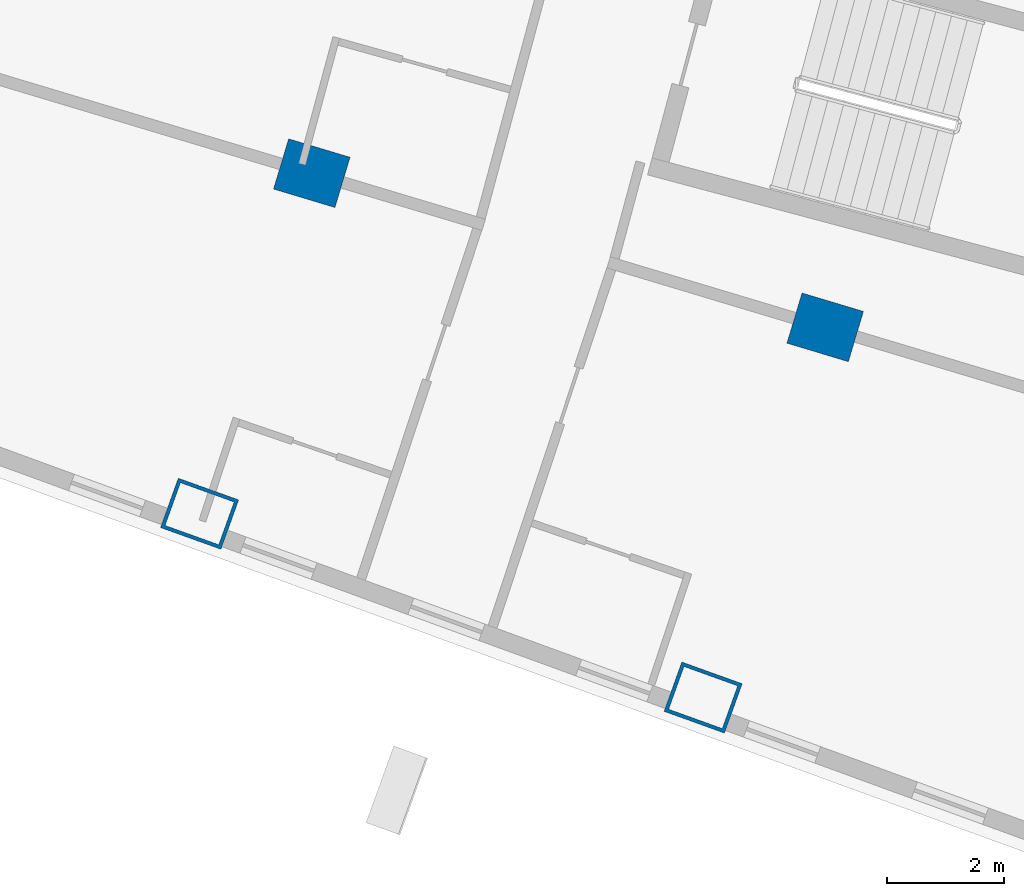
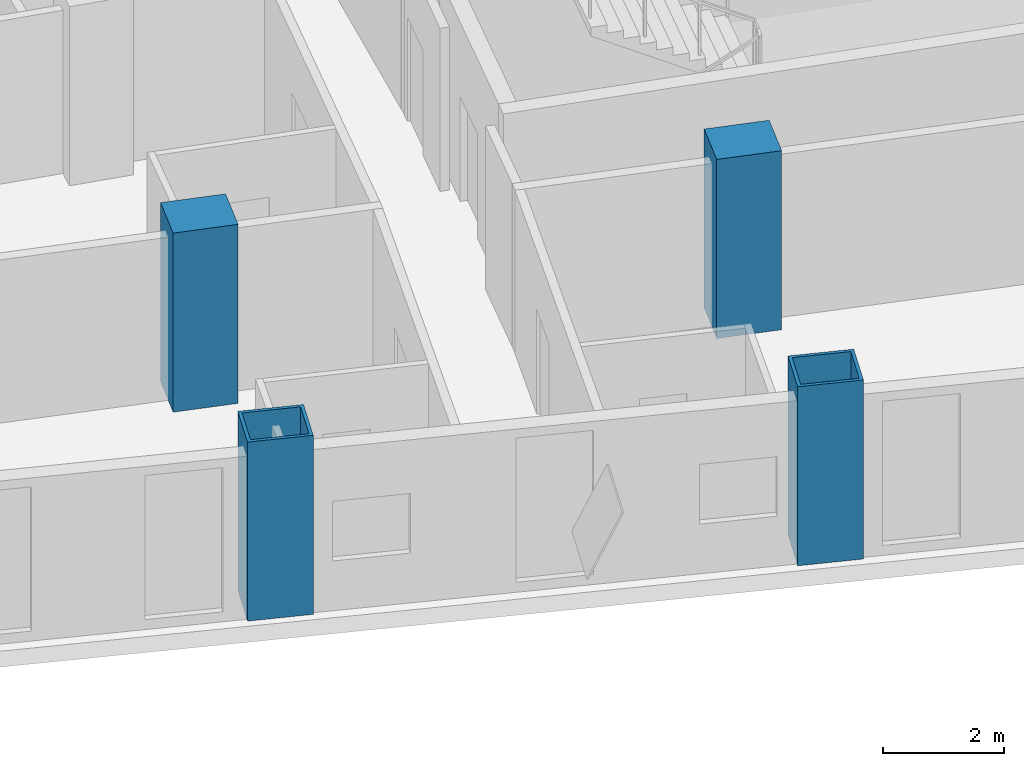
# One storey, part 2 of 24: 4 columns.
"""IFC4 building model written with IfcOpenShell, lengths in metres."""

from ifc_helpers import new_model, si_unit, direction, frame, origin, origin_2d, place, context, subcontext, project, spatial, rectangle, hollow_rectangle, extrude, material, material_profile, profile_set, type_object, element, save


model = new_model("IFC4")

# Units and contexts
model_context = context("Model", 3, precision=1e-05, world=origin(), true_north=direction((0.0, 1.0)))
body_context = subcontext(model_context, "Body", "Model", "MODEL_VIEW")
ifc_project = project(units=[si_unit("LENGTHUNIT", "METRE"), si_unit("AREAUNIT", "SQUARE_METRE"), si_unit("VOLUMEUNIT", "CUBIC_METRE"), si_unit("PLANEANGLEUNIT", "RADIAN"), si_unit("MASSUNIT", "GRAM", prefix="KILO")], contexts=[model_context])

# Site, building, storey
site_placement = place(None, origin())
site = spatial("IfcSite", under=ifc_project, at=site_placement, CompositionType="ELEMENT")
building_placement = place(site_placement, origin())
building = spatial("IfcBuilding", under=site, at=building_placement, Name="Alderwake Tower", CompositionType="ELEMENT")
storey_placement = place(building_placement, frame((0.0, 0.0, 39.199951171875)))
storey = spatial("IfcBuildingStorey", under=building, at=storey_placement, Name="L08", CompositionType="ELEMENT", Elevation=39.199951171875)

# Columns
ifc_material_1 = material(Name="Steel ASTM A572 Grade 50 concrete filled C70/85", Category="concrete")
ifc_material_profile_1 = material_profile(ifc_material_1, hollow_rectangle(XDim=0.89990234375, YDim=1.10009765625, WallThickness=0.06005859375, at=origin_2d()), Name="BOX 1100X900X60")
ifc_profile_set_1 = profile_set([ifc_material_profile_1], Name="Steel ASTM A572 Grade 50 concrete filled C70/85")
column_type_1 = type_object("IfcColumnType", Name="End column Z1", PredefinedType="COLUMN", material=ifc_profile_set_1)
for number, where, z_axis, x_axis, name in (
    (1, (28.983642578125, 21.856689453125, 0.0), (0.0, 0.0, 1.0), (0.338026774049, 0.941136493834, 0.0), "Column R01-C2"),
    (2, (37.6259765625, 18.701904296875, 0.0), (0.0, 0.0, 1.0), (0.338384834858, 0.941007812687, 0.0), "Column R01-C3"),
):
    element("IfcColumn", number, at=place(storey_placement, frame(where, z_axis=z_axis, x_axis=x_axis)), inside=storey, type_object=column_type_1, Name=name, PredefinedType="COLUMN", context=body_context, shape_type="SweptSolid", body=[
        extrude(hollow_rectangle(XDim=0.89990234375, YDim=1.10009765625, WallThickness=0.06005859375, at=origin_2d()), origin(), (0.0, 0.0, 1.0), 3.60009765625),
    ])
ifc_material_2 = material(Name="Concrete C70/85", Category="concrete")
ifc_material_profile_2 = material_profile(ifc_material_2, rectangle(XDim=0.89990234375, YDim=1.10009765625, at=origin_2d()), Name="RC 1100X900")
ifc_profile_set_2 = profile_set([ifc_material_profile_2], Name="Concrete C70/85")
column_type_2 = type_object("IfcColumnType", Name="Interior column Z1", PredefinedType="COLUMN", material=ifc_profile_set_2)
for number, where, z_axis, x_axis, name in (
    (3, (30.9091796875, 27.701904296875, 0.0), (0.0, 0.0, 1.0), (0.287549418125, 0.957765802342, 0.0), "Column R02-C2"),
    (4, (39.720703125, 25.056396484375, 0.0), (0.0, 0.0, 1.0), (0.287549418125, 0.957765802342, 0.0), "Column R02-C3"),
):
    element("IfcColumn", number, at=place(storey_placement, frame(where, z_axis=z_axis, x_axis=x_axis)), inside=storey, type_object=column_type_2, Name=name, PredefinedType="COLUMN", context=body_context, shape_type="SweptSolid", body=[
        extrude(rectangle(XDim=0.89990234375, YDim=1.10009765625, at=origin_2d()), origin(), (0.0, 0.0, 1.0), 3.60009765625),
    ])

save(model, "model.ifc")
